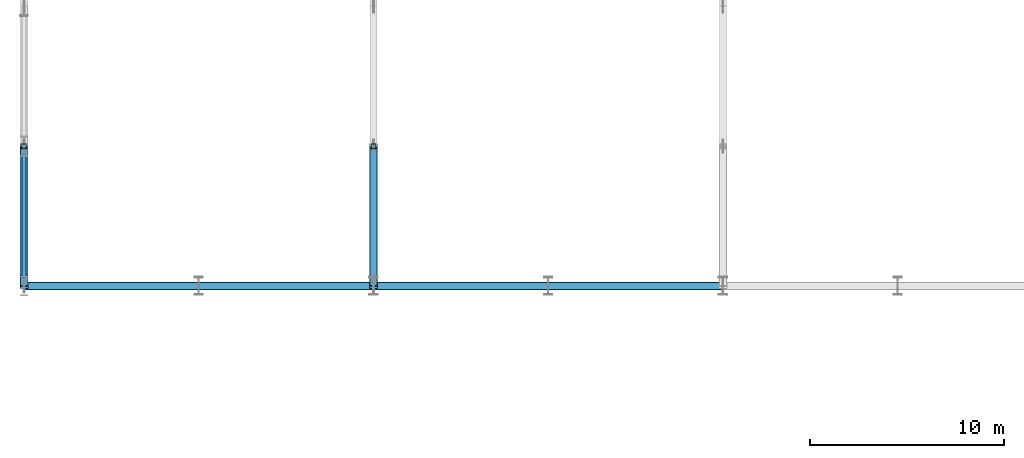
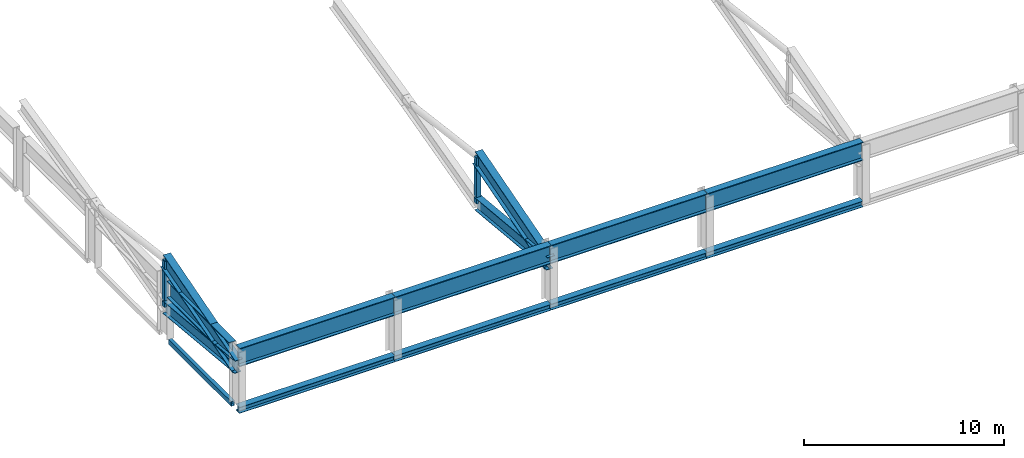
# One storey, part 14 of 151: 10 beams, 6 members.
"""IFC4 building model written with IfcOpenShell, lengths in metres."""

import ifcopenshell
import ifcopenshell.guid

model = None  # the IFC model being written
_history = None  # IfcOwnerHistory: only IFC2X3 demands one
_inside = {}  # id of a spatial element -> (the spatial element, [elements in it])
_under = {}  # id of a project, library or spatial element -> (it, [spatial elements below it])
_declared = {}  # id of a project -> (the project, [libraries it declares])
_typed = {}  # id of a type object -> (the type object, [elements of that type])
_made_of = {}  # id of a material, layer set ... -> (it, [elements and type objects made of it])


def new_model(schema):
    """Start an empty IFC model of exactly this schema.

    Asked for "IFC4X3", IfcOpenShell would pick the latest addendum, in which some entities
    have other attributes; the version numbers below select the first issue.
    IFC2X3 requires an IfcOwnerHistory on every rooted entity: one is made here for all.
    """
    global model, _history
    if schema == "IFC4X3":
        model = ifcopenshell.file(schema_version=(4, 3, 0, 0))
    else:
        model = ifcopenshell.file(schema=schema)
    _inside.clear()
    _under.clear()
    _declared.clear()
    _typed.clear()
    _made_of.clear()
    _history = None
    if model.schema == "IFC2X3":
        org = make("IfcOrganization", Name="unknown")
        user = make(
            "IfcPersonAndOrganization",
            ThePerson=make("IfcPerson", FamilyName="unknown"),
            TheOrganization=org,
        )
        app = make(
            "IfcApplication",
            ApplicationDeveloper=org,
            Version="unknown",
            ApplicationFullName="unknown",
            ApplicationIdentifier="unknown",
        )
        _history = make(
            "IfcOwnerHistory",
            OwningUser=user,
            OwningApplication=app,
            ChangeAction="ADDED",
            CreationDate=0,
        )
    return model


def make(cls, **values):
    """One entity of the class cls with the attributes given. An attribute that is None is left unset."""
    return model.create_entity(
        cls, **{name: value for name, value in values.items() if value is not None}
    )


def rooted(cls, **values):
    """An entity with a GlobalId (a new one), such as an element, a storey or a relation."""
    return make(cls, GlobalId=ifcopenshell.guid.new(), OwnerHistory=_history, **values)


def si_unit(unit_type, name, prefix=None):
    """IfcSIUnit, for example si_unit("LENGTHUNIT", "METRE", prefix="MILLI")."""
    return make("IfcSIUnit", UnitType=unit_type, Prefix=prefix, Name=name)


def assignment(units):
    """IfcUnitAssignment: the units of a project."""
    return None if units is None else make("IfcUnitAssignment", Units=units)


def point(xyz):
    """IfcCartesianPoint."""
    return None if xyz is None else make("IfcCartesianPoint", Coordinates=xyz)


def direction(xyz):
    """IfcDirection."""
    return None if xyz is None else make("IfcDirection", DirectionRatios=xyz)


def frame(location, z_axis=None, x_axis=None):
    """IfcAxis2Placement3D, a coordinate frame: its origin and axes. An axis left out is left unset."""
    return make(
        "IfcAxis2Placement3D",
        Location=point(location),
        Axis=direction(z_axis),
        RefDirection=direction(x_axis),
    )


def frame_2d(location, x_axis=None):
    """IfcAxis2Placement2D, a coordinate frame in the plane: its origin and x axis."""
    return make(
        "IfcAxis2Placement2D", Location=point(location), RefDirection=direction(x_axis)
    )


def origin():
    """The frame at (0, 0, 0) with its axes left unset."""
    return frame((0.0, 0.0, 0.0))


def origin_2d():
    """The frame at (0, 0) in the plane with its x axis left unset."""
    return frame_2d((0.0, 0.0))


def place(relative_to, where):
    """IfcLocalPlacement: puts the frame where relative to a parent placement (None: the world)."""
    return make(
        "IfcLocalPlacement", PlacementRelTo=relative_to, RelativePlacement=where
    )


def context(
    kind, dimensions, precision=None, world=None, true_north=None, identifier=None
):
    """IfcGeometricRepresentationContext, for example the 3D "Model" context."""
    return make(
        "IfcGeometricRepresentationContext",
        ContextIdentifier=identifier,
        ContextType=kind,
        CoordinateSpaceDimension=dimensions,
        Precision=precision,
        WorldCoordinateSystem=world,
        TrueNorth=true_north,
    )


def subcontext(parent, identifier, kind, view, scale=None):
    """IfcGeometricRepresentationSubContext, for example "Body" below "Model"."""
    return make(
        "IfcGeometricRepresentationSubContext",
        ContextIdentifier=identifier,
        ContextType=kind,
        ParentContext=parent,
        TargetScale=scale,
        TargetView=view,
    )


def project(units=None, contexts=None):
    """IfcProject with its units and contexts."""
    return rooted(
        "IfcProject",
        Name="project",
        RepresentationContexts=contexts,
        UnitsInContext=assignment(units),
    )


def spatial(cls, under=None, at=None, **own):
    """A site, building, storey or space (cls), placed at a placement, below another one or the project."""
    s = rooted(cls, ObjectPlacement=at, **own)
    if under is not None:
        _under.setdefault(under.id(), (under, []))[1].append(s)
    return s


def profile(cls, at=None, kind="AREA", **sizes):
    """A parametric profile (cls). Its sizes go by their IFC names, for example OverallWidth=200.0."""
    return make(cls, ProfileType=kind, Position=at, **sizes)


def hollow_rectangle(**sizes):
    """IfcRectangleHollowProfileDef."""
    return profile("IfcRectangleHollowProfileDef", **sizes)


def i_section(**sizes):
    """IfcIShapeProfileDef."""
    return profile("IfcIShapeProfileDef", **sizes)


def extrude(swept, where, along, depth):
    """IfcExtrudedAreaSolid: the profile swept, set in the frame where, extruded along a direction by depth."""
    return make(
        "IfcExtrudedAreaSolid",
        SweptArea=swept,
        Position=where,
        ExtrudedDirection=direction(along),
        Depth=depth,
    )


def shape(context_of_items, identifier, shape_type, items):
    """IfcShapeRepresentation: the items that make up one representation, for example the "Body"."""
    return make(
        "IfcShapeRepresentation",
        ContextOfItems=context_of_items,
        RepresentationIdentifier=identifier,
        RepresentationType=shape_type,
        Items=items,
    )


def material(Name=None, Category=None):
    """IfcMaterial."""
    return make("IfcMaterial", Name=Name, Category=Category)


def material_profile(
    of_material, cross_section, Name=None, Category=None, Priority=None
):
    """IfcMaterialProfile: a cross section and its material."""
    return make(
        "IfcMaterialProfile",
        Name=Name,
        Material=of_material,
        Profile=cross_section,
        Priority=Priority,
        Category=Category,
    )


def profile_set(profiles, Name=None, composite=None):
    """IfcMaterialProfileSet."""
    return make(
        "IfcMaterialProfileSet",
        Name=Name,
        MaterialProfiles=profiles,
        CompositeProfile=composite,
    )


def made_of(thing, what):
    """Note that an element or type object is made of a material, layer set ...; save() writes the relation."""
    if what is not None:
        _made_of.setdefault(what.id(), (what, []))[1].append(thing)
    return thing


def type_object(cls, material=None, **own):
    """A type object (cls), such as IfcWallType, which elements share."""
    return made_of(rooted(cls, **own), material)


def element(
    cls,
    number,
    at=None,
    inside=None,
    cuts=None,
    type_object=None,
    material=None,
    context=None,
    identifier="Body",
    shape_type=None,
    held_by="IfcProductDefinitionShape",
    body=None,
    shapes=None,
    **own,
):
    """One element of the class cls, such as IfcWall. Its Tag is "e" and its number.

    at: its placement. inside: the storey or other place that contains it. cuts: it is an
    opening in that element (IfcRelVoidsElement). A single representation is given by context,
    identifier, shape_type and body (its items); several are given by shapes. held_by: the class
    of the entity that holds the representations. save() writes the other relations.
    """
    e = rooted(cls, Tag="e%d" % number, ObjectPlacement=at, **own)
    if body is not None:
        shapes = [shape(context, identifier, shape_type, body)]
    if shapes is not None:
        e.Representation = make(held_by, Representations=shapes)
    if inside is not None:
        _inside.setdefault(inside.id(), (inside, []))[1].append(e)
    if cuts is not None:
        rooted(
            "IfcRelVoidsElement", RelatingBuildingElement=cuts, RelatedOpeningElement=e
        )
    if type_object is not None:
        _typed.setdefault(type_object.id(), (type_object, []))[1].append(e)
    return made_of(e, material)


def aggregate(whole, parts):
    """IfcRelAggregates: a whole, such as a stair, and the parts it consists of."""
    return rooted("IfcRelAggregates", RelatingObject=whole, RelatedObjects=parts)


def save(model, path):
    """Write the relations noted so far, then the file.

    IfcRelAggregates (storeys below a building ...), IfcRelContainedInSpatialStructure (elements
    in a storey), IfcRelDefinesByType, IfcRelAssociatesMaterial and IfcRelDeclares: one each for
    every whole, place, type object, material and project.
    """
    for whole, parts in _under.values():
        aggregate(whole, parts)
    for where, things in _inside.values():
        rooted(
            "IfcRelContainedInSpatialStructure",
            RelatedElements=things,
            RelatingStructure=where,
        )
    for kind, things in _typed.values():
        rooted("IfcRelDefinesByType", RelatedObjects=things, RelatingType=kind)
    for what, things in _made_of.values():
        rooted("IfcRelAssociatesMaterial", RelatedObjects=things, RelatingMaterial=what)
    for by, libraries in _declared.values():
        rooted("IfcRelDeclares", RelatingContext=by, RelatedDefinitions=libraries)
    model.write(path)


model = new_model("IFC4")

# Units and contexts
model_context = context("Model", 3, precision=1e-05, world=origin(), true_north=direction((0.0, 1.0)))
body_context = subcontext(model_context, "Body", "Model", "MODEL_VIEW")
ifc_project = project(units=[si_unit("LENGTHUNIT", "METRE"), si_unit("AREAUNIT", "SQUARE_METRE"), si_unit("VOLUMEUNIT", "CUBIC_METRE"), si_unit("PLANEANGLEUNIT", "RADIAN"), si_unit("MASSUNIT", "GRAM", prefix="KILO")], contexts=[model_context])

# Site, building, storey
site_placement = place(None, origin())
site = spatial("IfcSite", under=ifc_project, at=site_placement, CompositionType="ELEMENT")
building_placement = place(site_placement, origin())
building = spatial("IfcBuilding", under=site, at=building_placement, Name="Celestram Park Convention Centre", CompositionType="ELEMENT")
storey_placement = place(building_placement, frame((0.0, 0.0, 10.800048828125)))
storey = spatial("IfcBuildingStorey", under=building, at=storey_placement, Name="L02", CompositionType="ELEMENT", Elevation=10.800048828125)

# Beams
ifc_material_1 = material(Name="Steel ASTM A992 Grade 50", Category="steel")
ifc_material_profile_1 = material_profile(ifc_material_1, i_section(OverallWidth=0.40087890625, OverallDepth=1.010986328125, WebThickness=0.023681640625, FlangeThickness=0.0419921875, at=origin_2d()), Name="W40X297")
ifc_profile_set_1 = profile_set([ifc_material_profile_1], Name="Steel ASTM A992 Grade 50")
beam_type_1 = type_object("IfcBeamType", Name="STR-BM-W40X297", PredefinedType="BEAM", material=ifc_profile_set_1)
beam_1_placement = place(storey_placement, frame((0.0, 22.103515625, 3.094482421875), z_axis=(0.0, 1.0, 0.0), x_axis=(-1.0, 0.0, 0.0)))
element("IfcBeam", 1, at=beam_1_placement, inside=storey, type_object=beam_type_1, Name="Exhibition gable tie girder BG-L02-0390", PredefinedType="BEAM", context=body_context, shape_type="SweptSolid", body=[
    extrude(i_section(OverallWidth=0.40087890625, OverallDepth=1.010986328125, WebThickness=0.023681640625, FlangeThickness=0.0419921875, at=origin_2d()), origin(), (0.0, 0.0, 1.0), 6.19287109375),
])
ifc_material_profile_2 = material_profile(ifc_material_1, i_section(OverallWidth=0.404052734375, OverallDepth=1.117919921875, WebThickness=0.026123046875, FlangeThickness=0.044921875, at=origin_2d()), Name="W44X335")
ifc_profile_set_2 = profile_set([ifc_material_profile_2], Name="Steel ASTM A992 Grade 50")
beam_type_2 = type_object("IfcBeamType", Name="STR-BM-W44X335", PredefinedType="BEAM", material=ifc_profile_set_2)
beam_2_placement = place(storey_placement, frame((0.009765625, 21.60009765625, 3.041015625), z_axis=(1.0, 0.0, 0.0), x_axis=(0.0, 1.0, 0.0)))
element("IfcBeam", 2, at=beam_2_placement, inside=storey, type_object=beam_type_2, Name="Exhibition eaves tie girder BG-L02-0372", PredefinedType="BEAM", context=body_context, shape_type="SweptSolid", body=[
    extrude(i_section(OverallWidth=0.404052734375, OverallDepth=1.117919921875, WebThickness=0.026123046875, FlangeThickness=0.044921875, at=origin_2d()), origin(), (0.0, 0.0, 1.0), 8.982666015625),
])
beam_3_placement = place(storey_placement, frame((9.007568359375, 21.60009765625, 3.041015625), z_axis=(1.0, 0.0, 0.0), x_axis=(0.0, 1.0, 0.0)))
element("IfcBeam", 3, at=beam_3_placement, inside=storey, type_object=beam_type_2, Name="Exhibition eaves tie girder BG-L02-0373", PredefinedType="BEAM", context=body_context, shape_type="SweptSolid", body=[
    extrude(i_section(OverallWidth=0.404052734375, OverallDepth=1.117919921875, WebThickness=0.026123046875, FlangeThickness=0.044921875, at=origin_2d()), origin(), (0.0, 0.0, 1.0), 8.984619140625),
])
beam_4_placement = place(storey_placement, frame((18.0078125, 21.60009765625, 3.041015625), z_axis=(1.0, 0.0, 0.0), x_axis=(0.0, 1.0, 0.0)))
element("IfcBeam", 4, at=beam_4_placement, inside=storey, type_object=beam_type_2, Name="Exhibition eaves tie girder BG-L02-0374", PredefinedType="BEAM", context=body_context, shape_type="SweptSolid", body=[
    extrude(i_section(OverallWidth=0.404052734375, OverallDepth=1.117919921875, WebThickness=0.026123046875, FlangeThickness=0.044921875, at=origin_2d()), origin(), (0.0, 0.0, 1.0), 8.984375),
])
beam_5_placement = place(storey_placement, frame((27.0078125, 21.60009765625, 3.041015625), z_axis=(1.0, 0.0, 0.0), x_axis=(0.0, 1.0, 0.0)))
element("IfcBeam", 5, at=beam_5_placement, inside=storey, type_object=beam_type_2, Name="Exhibition eaves tie girder BG-L02-0375", PredefinedType="BEAM", context=body_context, shape_type="SweptSolid", body=[
    extrude(i_section(OverallWidth=0.404052734375, OverallDepth=1.117919921875, WebThickness=0.026123046875, FlangeThickness=0.044921875, at=origin_2d()), origin(), (0.0, 0.0, 1.0), 8.984619140625),
])

# Members
ifc_material_profile_3 = material_profile(ifc_material_1, i_section(OverallWidth=0.381103515625, OverallDepth=0.77197265625, WebThickness=0.0166015625, FlangeThickness=0.027099609375, at=origin_2d()), Name="W30X173")
ifc_profile_set_3 = profile_set([ifc_material_profile_3], Name="Steel ASTM A992 Grade 50")
member_type_1 = type_object("IfcMemberType", Name="STR-CHD-W30X173", PredefinedType="CHORD", material=ifc_profile_set_3)
for number, where, z_axis, x_axis, name in (
    (6, (0.0, 21.60009765625, 2.428466796875), (0.0, 0.995417621099, -0.095623007717), (-1.0, 0.0, 0.0), "V1 arch bottom chord"),
    (7, (18.0, 21.60009765625, 2.428466796875), (0.0, 0.995417621099, -0.095623007717), (-1.0, 0.0, 0.0), "V1 arch bottom chord"),
):
    element("IfcMember", number, at=place(storey_placement, frame(where, z_axis=z_axis, x_axis=x_axis)), inside=storey, type_object=member_type_1, Name=name, PredefinedType="CHORD", context=body_context, shape_type="SweptSolid", body=[
        extrude(i_section(OverallWidth=0.381103515625, OverallDepth=0.77197265625, WebThickness=0.0166015625, FlangeThickness=0.027099609375, at=origin_2d()), origin(), (0.0, 0.0, 1.0), 7.233154296875),
    ])
ifc_material_profile_4 = material_profile(ifc_material_1, i_section(OverallWidth=0.4189453125, OverallDepth=0.927001953125, WebThickness=0.019287109375, FlangeThickness=0.031982421875, at=origin_2d()), Name="W36X231")
ifc_profile_set_4 = profile_set([ifc_material_profile_4], Name="Steel ASTM A992 Grade 50")
member_type_2 = type_object("IfcMemberType", Name="STR-CHD-W36X231", PredefinedType="CHORD", material=ifc_profile_set_4)
for number, where, z_axis, x_axis, name in (
    (8, (0.0, 21.60009765625, 2.428466796875), (0.0, 0.959698026141, 0.281033269599), (-1.0, 0.0, 0.0), "V1 arch top chord"),
    (9, (18.0, 21.60009765625, 2.428466796875), (0.0, 0.959698026141, 0.281033269599), (-1.0, 0.0, 0.0), "V1 arch top chord"),
):
    element("IfcMember", number, at=place(storey_placement, frame(where, z_axis=z_axis, x_axis=x_axis)), inside=storey, type_object=member_type_2, Name=name, PredefinedType="CHORD", context=body_context, shape_type="SweptSolid", body=[
        extrude(i_section(OverallWidth=0.4189453125, OverallDepth=0.927001953125, WebThickness=0.019287109375, FlangeThickness=0.031982421875, at=origin_2d()), origin(), (0.0, 0.0, 1.0), 7.502197265625),
    ])

# Beams
ifc_material_2 = material(Name="Steel ASTM A500 Grade C", Category="steel")
ifc_material_profile_5 = material_profile(ifc_material_2, hollow_rectangle(XDim=0.199951171875, YDim=0.300048828125, WallThickness=0.011962890625, at=origin_2d()), Name="HSS300X200X12")
ifc_profile_set_5 = profile_set([ifc_material_profile_5], Name="Steel ASTM A500 Grade C")
beam_type_3 = type_object("IfcBeamType", Name="STR-SPN-HSS300X200", PredefinedType="SPANDREL", material=ifc_profile_set_5)
beam_6_placement = place(storey_placement, frame((0.0, 22.06396484375, -0.150146484375), z_axis=(0.0, 1.0, 0.0), x_axis=(-1.0, 0.0, 0.0)))
element("IfcBeam", 10, at=beam_6_placement, inside=storey, type_object=beam_type_3, Name="High-bay perimeter spandrel SPB-L02-018", PredefinedType="SPANDREL", context=body_context, shape_type="SweptSolid", body=[
    extrude(hollow_rectangle(XDim=0.199951171875, YDim=0.300048828125, WallThickness=0.011962890625, at=origin_2d()), origin(), (0.0, 0.0, 1.0), 6.27197265625),
])
ifc_material_profile_6 = material_profile(ifc_material_1, i_section(OverallWidth=0.373046875, OverallDepth=0.373046875, WebThickness=0.016357421875, FlangeThickness=0.026123046875, at=origin_2d()), Name="W14X132")
ifc_profile_set_6 = profile_set([ifc_material_profile_6], Name="Steel ASTM A992 Grade 50")
beam_type_4 = type_object("IfcBeamType", Name="STR-SPN-W14X132", PredefinedType="SPANDREL", material=ifc_profile_set_6)
for number, where, z_axis, x_axis, name in (
    (11, (0.010009765625, 21.60009765625, -0.1865234375), (1.0, 0.0, 0.0), (0.0, 1.0, 0.0), "High-bay perimeter spandrel SPB-L02-030"),
    (12, (9.010009765625, 21.60009765625, -0.1865234375), (1.0, 0.0, 0.0), (0.0, 1.0, 0.0), "High-bay perimeter spandrel SPB-L02-031"),
    (13, (18.010009765625, 21.60009765625, -0.1865234375), (1.0, 0.0, 0.0), (0.0, 1.0, 0.0), "High-bay perimeter spandrel SPB-L02-032"),
    (14, (27.010009765625, 21.60009765625, -0.1865234375), (1.0, 0.0, 0.0), (0.0, 1.0, 0.0), "High-bay perimeter spandrel SPB-L02-033"),
):
    element("IfcBeam", number, at=place(storey_placement, frame(where, z_axis=z_axis, x_axis=x_axis)), inside=storey, type_object=beam_type_4, Name=name, PredefinedType="SPANDREL", context=body_context, shape_type="SweptSolid", body=[
        extrude(i_section(OverallWidth=0.373046875, OverallDepth=0.373046875, WebThickness=0.016357421875, FlangeThickness=0.026123046875, at=origin_2d()), origin(), (0.0, 0.0, 1.0), 8.97998046875),
    ])

# Members
ifc_material_profile_7 = material_profile(ifc_material_2, hollow_rectangle(XDim=0.25, YDim=0.25, WallThickness=0.011962890625, at=origin_2d()), Name="HSS250X250X12")
ifc_profile_set_7 = profile_set([ifc_material_profile_7], Name="Steel ASTM A500 Grade C")
member_type_3 = type_object("IfcMemberType", Name="STR-STR-HSS250", PredefinedType="STRUT", material=ifc_profile_set_7)
for number, where, z_axis, x_axis, name in (
    (15, (0.0, 28.800048828125, 1.73681640625), (0.0, 0.0, 1.0), (1.0, 0.0, 0.0), "V1 arch vertical strut"),
    (16, (18.0, 28.800048828125, 1.73681640625), (0.0, 0.0, 1.0), (1.0, 0.0, 0.0), "V1 arch vertical strut"),
):
    element("IfcMember", number, at=place(storey_placement, frame(where, z_axis=z_axis, x_axis=x_axis)), inside=storey, type_object=member_type_3, Name=name, PredefinedType="STRUT", context=body_context, shape_type="SweptSolid", body=[
        extrude(hollow_rectangle(XDim=0.25, YDim=0.25, WallThickness=0.011962890625, at=origin_2d()), origin(), (0.0, 0.0, 1.0), 2.800048828125),
    ])

save(model, "model.ifc")
